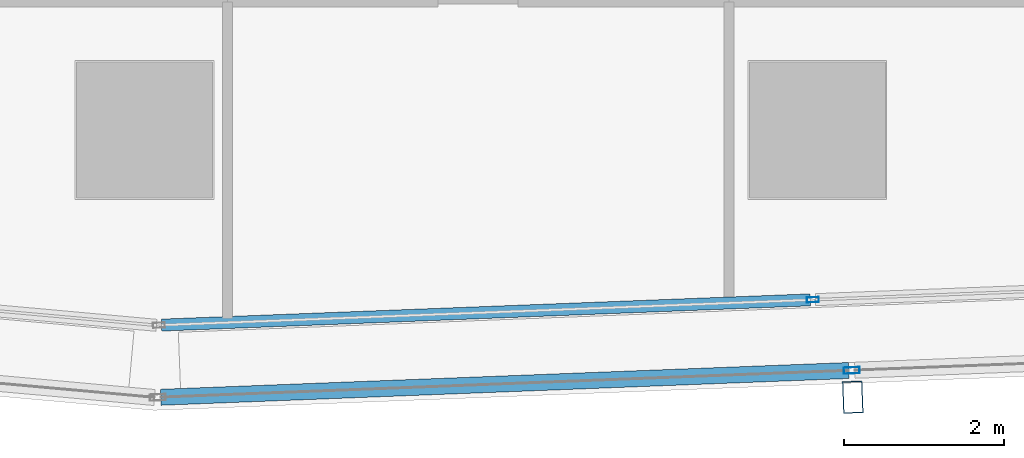
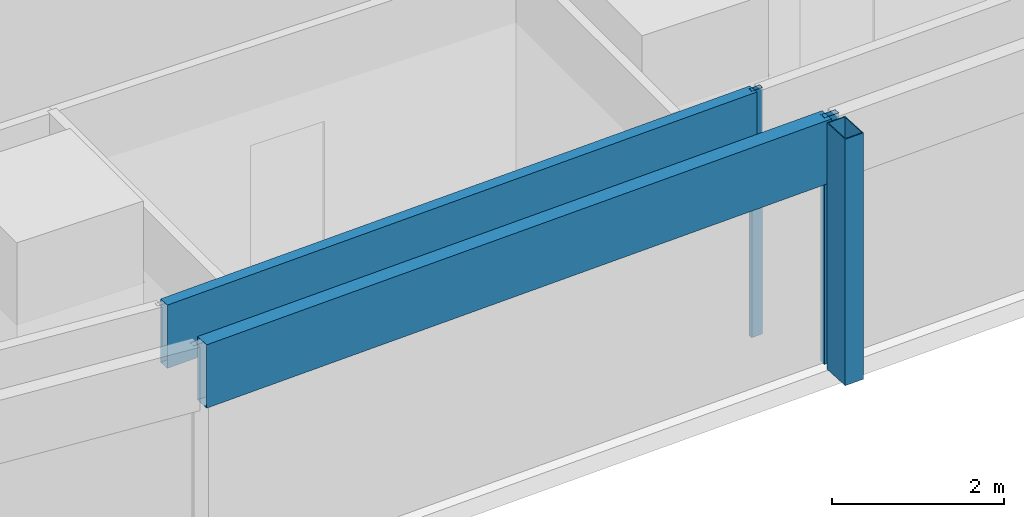
# One storey, part 6 of 40: 5 members, 2 elements without a shape of their own.
"""IFC4 building model written with IfcOpenShell, lengths in metres."""

from ifc_helpers import new_model, si_unit, direction, frame, origin, origin_2d, place, context, subcontext, project, spatial, hollow_rectangle, extrude, material, material_profile, profile_set, type_object, element, aggregate, save


model = new_model("IFC4")

# Units and contexts
model_context = context("Model", 3, precision=1e-05, world=origin(), true_north=direction((0.0, 1.0)))
body_context = subcontext(model_context, "Body", "Model", "MODEL_VIEW")
ifc_project = project(units=[si_unit("LENGTHUNIT", "METRE"), si_unit("AREAUNIT", "SQUARE_METRE"), si_unit("VOLUMEUNIT", "CUBIC_METRE"), si_unit("PLANEANGLEUNIT", "RADIAN"), si_unit("MASSUNIT", "GRAM", prefix="KILO")], contexts=[model_context])

# Site, building, storey
site_placement = place(None, origin())
site = spatial("IfcSite", under=ifc_project, at=site_placement, CompositionType="ELEMENT")
building_placement = place(site_placement, origin())
building = spatial("IfcBuilding", under=site, at=building_placement, Name="Rekha Terrace Tower", CompositionType="ELEMENT")
storey_placement = place(building_placement, frame((0.0, 0.0, 121.550048828125)))
storey = spatial("IfcBuildingStorey", under=building, at=storey_placement, Name="L30", CompositionType="ELEMENT", Elevation=121.550048828125)

# Curtain wall, member
ifc_material_1 = material(Name="Aluminium framing", Category="aluminium")
curtain_wall_type_1 = type_object("IfcCurtainWallType", Name="CW2 double skin outer glazing", PredefinedType="USERDEFINED", material=ifc_material_1)
curtain_wall_1_placement = place(storey_placement, origin())
curtain_wall_1 = element("IfcCurtainWall", 1, at=curtain_wall_1_placement, inside=storey, type_object=curtain_wall_type_1, Name="CW2 double skin outer glazing", ObjectType="DOUBLE SKIN OUTER GLAZING", PredefinedType="USERDEFINED")
ifc_material_2 = material(Name="Steel S355 with fluorocarbon finish", Category="steel")
ifc_material_profile_1 = material_profile(ifc_material_2, hollow_rectangle(XDim=0.25, YDim=0.39990234375, WallThickness=0.012451171875, at=origin_2d()), Name="RHS400x250x12.5")
ifc_profile_set_1 = profile_set([ifc_material_profile_1], Name="Steel S355 with fluorocarbon finish")
member_type_1 = type_object("IfcMemberType", Name="BL1 facade blade RHS 400 x 250", PredefinedType="USERDEFINED", material=ifc_profile_set_1)
member_1_placement = place(storey_placement, frame((34.042236328125, 13.46435546875, 0.0), z_axis=(0.0, 0.0, 1.0), x_axis=(0.999243494356, 0.038890088543, 0.0)))
member_1 = element("IfcMember", 2, at=member_1_placement, type_object=member_type_1, Name="Facade blade", ObjectType="FACADE BLADE", PredefinedType="USERDEFINED", context=body_context, shape_type="SweptSolid", body=[
    extrude(hollow_rectangle(XDim=0.25, YDim=0.39990234375, WallThickness=0.012451171875, at=origin_2d()), origin(), (0.0, 0.0, 1.0), 3.5),
])

# Curtain wall, members
curtain_wall_type_2 = type_object("IfcCurtainWallType", Name="CW1 double skin inner glazing", PredefinedType="USERDEFINED", material=ifc_material_1)
curtain_wall_2_placement = place(storey_placement, origin())
curtain_wall_2 = element("IfcCurtainWall", 3, at=curtain_wall_2_placement, inside=storey, type_object=curtain_wall_type_2, Name="CW1 double skin inner glazing", ObjectType="DOUBLE SKIN INNER GLAZING", PredefinedType="USERDEFINED")
ifc_material_3 = material(Name="Aluminium mullion section", Category="aluminium")
ifc_material_profile_2 = material_profile(ifc_material_3, hollow_rectangle(XDim=0.06494140625, YDim=0.14990234375, WallThickness=0.00390625, at=origin_2d()), Name="AL RHS 65x150")
ifc_profile_set_2 = profile_set([ifc_material_profile_2], Name="Aluminium mullion section")
member_type_2 = type_object("IfcMemberType", Name="CW1 mullion RHS 65 x 150", PredefinedType="MULLION", material=ifc_profile_set_2)
member_2_placement = place(storey_placement, frame((33.5439453125, 14.680908203125, 0.0), z_axis=(0.0, 0.0, 1.0), x_axis=(-0.038889971345, 0.999243498917, 0.0)))
member_2 = element("IfcMember", 4, at=member_2_placement, type_object=member_type_2, Name="CW1 mullion 2", PredefinedType="MULLION", context=body_context, shape_type="SweptSolid", body=[
    extrude(hollow_rectangle(XDim=0.06494140625, YDim=0.14990234375, WallThickness=0.00390625, at=origin_2d()), origin(), (0.0, 0.0, 1.0), 3.5),
])
ifc_material_4 = material(Name="Insulated aluminium spandrel box", Category="aluminium")
ifc_material_profile_3 = material_profile(ifc_material_4, hollow_rectangle(XDim=0.14990234375, YDim=0.89990234375, WallThickness=0.0029296875, at=origin_2d()), Name="AL SPANDREL BOX 150x900")
ifc_profile_set_3 = profile_set([ifc_material_profile_3], Name="Insulated aluminium spandrel box")
member_type_3 = type_object("IfcMemberType", Name="CW1 spandrel transom 150 x 900", PredefinedType="USERDEFINED", material=ifc_profile_set_3)
member_3_placement = place(storey_placement, frame((25.412353515625, 14.364501953125, 3.050048828125), z_axis=(0.999243630757, 0.038886583689, 0.0), x_axis=(-0.038886583689, 0.999243630757, 0.0)))
member_3 = element("IfcMember", 5, at=member_3_placement, type_object=member_type_3, Name="CW1 spandrel transom 1", ObjectType="TRANSOM", PredefinedType="USERDEFINED", context=body_context, shape_type="SweptSolid", body=[
    extrude(hollow_rectangle(XDim=0.14990234375, YDim=0.89990234375, WallThickness=0.0029296875, at=origin_2d()), origin(), (0.0, 0.0, 1.0), 8.105224609375),
])
aggregate(curtain_wall_2, [member_2, member_3])

# Member
ifc_material_profile_4 = material_profile(ifc_material_3, hollow_rectangle(XDim=0.080078125, YDim=0.199951171875, WallThickness=0.00390625, at=origin_2d()), Name="AL RHS 80x200")
ifc_profile_set_4 = profile_set([ifc_material_profile_4], Name="Aluminium mullion section")
member_type_4 = type_object("IfcMemberType", Name="CW2 mullion RHS 80 x 200", PredefinedType="MULLION", material=ifc_profile_set_4)
member_4_placement = place(storey_placement, frame((34.029052734375, 13.799072265625, 0.0), z_axis=(0.0, 0.0, 1.0), x_axis=(-0.038889971345, 0.999243498917, 0.0)))
member_4 = element("IfcMember", 6, at=member_4_placement, type_object=member_type_4, Name="CW2 mullion 2", PredefinedType="MULLION", context=body_context, shape_type="SweptSolid", body=[
    extrude(hollow_rectangle(XDim=0.080078125, YDim=0.199951171875, WallThickness=0.00390625, at=origin_2d()), origin(), (0.0, 0.0, 1.0), 3.5),
])

ifc_material_profile_5 = material_profile(ifc_material_4, hollow_rectangle(XDim=0.199951171875, YDim=0.89990234375, WallThickness=0.0029296875, at=origin_2d()), Name="AL SPANDREL BOX 200x900")
ifc_profile_set_5 = profile_set([ifc_material_profile_5], Name="Insulated aluminium spandrel box")
member_type_5 = type_object("IfcMemberType", Name="CW2 spandrel transom 200 x 900", PredefinedType="USERDEFINED", material=ifc_profile_set_5)
member_5_placement = place(storey_placement, frame((25.404052734375, 13.46337890625, 3.050048828125), z_axis=(0.999243058466, 0.038901286707, 0.0), x_axis=(-0.038901286707, 0.999243058466, 0.0)))
member_5 = element("IfcMember", 7, at=member_5_placement, type_object=member_type_5, Name="CW2 spandrel transom 1", ObjectType="TRANSOM", PredefinedType="USERDEFINED", context=body_context, shape_type="SweptSolid", body=[
    extrude(hollow_rectangle(XDim=0.199951171875, YDim=0.89990234375, WallThickness=0.0029296875, at=origin_2d()), origin(), (0.0, 0.0, 1.0), 8.591796875),
])

aggregate(curtain_wall_1, [member_4, member_5, member_1])

save(model, "model.ifc")
